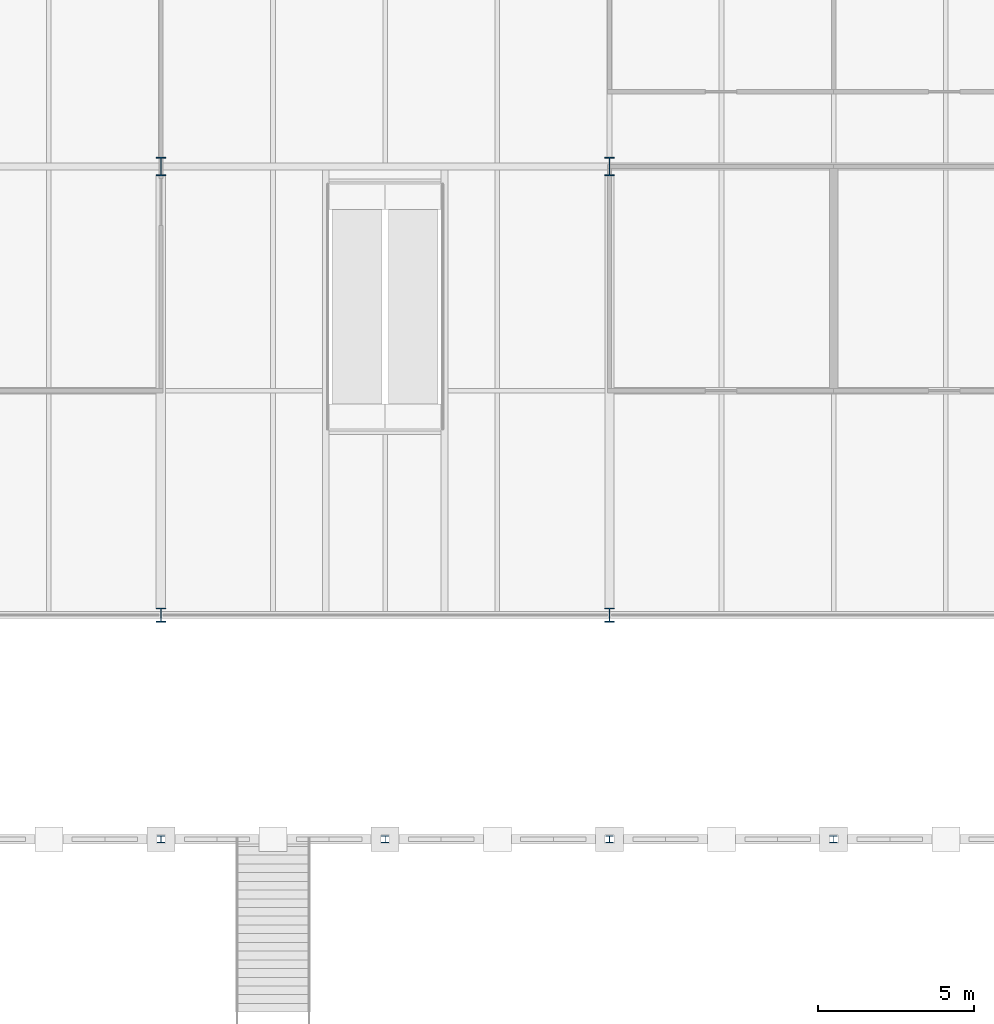
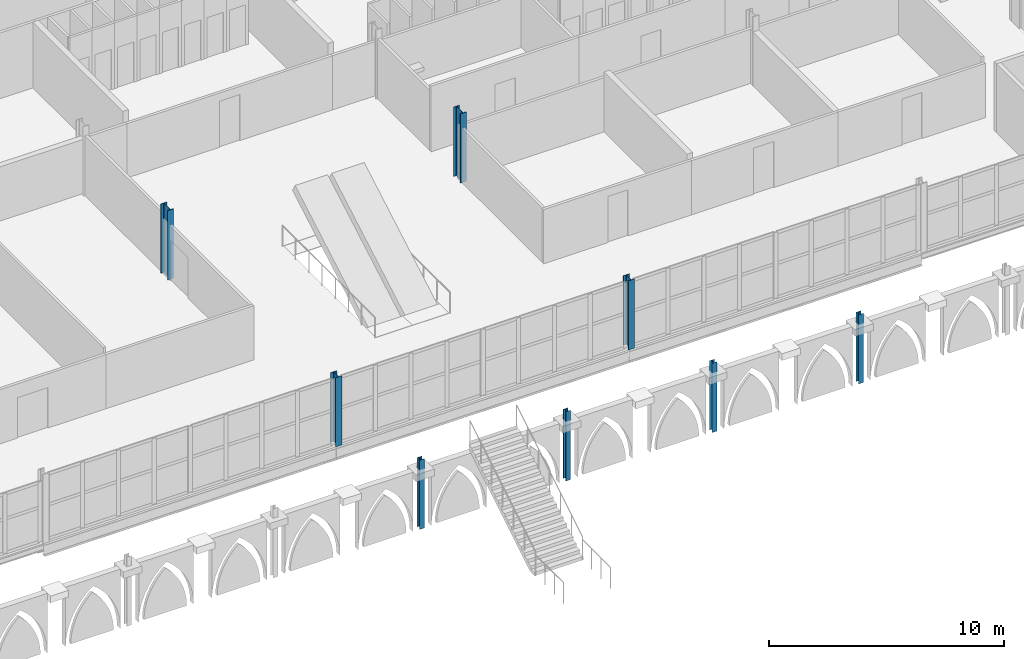
# One storey, part 2 of 90: 8 columns.
"""IFC4 building model written with IfcOpenShell, lengths in metres."""

from ifc_helpers import new_model, si_unit, direction, frame, origin, origin_2d, place, context, subcontext, project, spatial, i_section, extrude, material, material_profile, profile_set, type_object, element, save


model = new_model("IFC4")

# Units and contexts
model_context = context("Model", 3, precision=1e-05, world=origin(), true_north=direction((0.0, 1.0)))
body_context = subcontext(model_context, "Body", "Model", "MODEL_VIEW")
ifc_project = project(units=[si_unit("LENGTHUNIT", "METRE"), si_unit("AREAUNIT", "SQUARE_METRE"), si_unit("VOLUMEUNIT", "CUBIC_METRE"), si_unit("PLANEANGLEUNIT", "RADIAN"), si_unit("MASSUNIT", "GRAM", prefix="KILO")], contexts=[model_context])

# Site, building, storey
site_placement = place(None, origin())
site = spatial("IfcSite", under=ifc_project, at=site_placement, CompositionType="ELEMENT")
building_placement = place(site_placement, origin())
building = spatial("IfcBuilding", under=site, at=building_placement, Name="Kupolbacken Congress Centre", CompositionType="ELEMENT")
storey_placement = place(building_placement, frame((0.0, 0.0, 3.60009765625)))
storey = spatial("IfcBuildingStorey", under=building, at=storey_placement, Name="L01", CompositionType="ELEMENT", Elevation=3.60009765625)

# Columns
ifc_material_1 = material(Name="Steel S355", Category="steel")
ifc_material_profile_1 = material_profile(ifc_material_1, i_section(OverallWidth=0.300048828125, OverallDepth=0.449951171875, WebThickness=0.013916015625, FlangeThickness=0.02587890625, FilletRadius=0.027099609375, at=origin_2d()), Name="HEB 450")
ifc_profile_set_1 = profile_set([ifc_material_profile_1], Name="Steel S355")
column_type_1 = type_object("IfcColumnType", Name="C03 column HEB 450", PredefinedType="COLUMN", material=ifc_profile_set_1)
for number, where, z_axis, x_axis, name in (
    (1, (36.0, 28.800048828125, 0.0), (0.0, 0.0, 1.0), (1.0, 0.0, 0.0), "S/col/C-F-6E/L01"),
    (2, (50.39990234375, 28.800048828125, 0.0), (0.0, 0.0, 1.0), (1.0, 0.0, 0.0), "S/col/C-F-8E/L01"),
):
    element("IfcColumn", number, at=place(storey_placement, frame(where, z_axis=z_axis, x_axis=x_axis)), inside=storey, type_object=column_type_1, Name=name, PredefinedType="COLUMN", context=body_context, shape_type="SweptSolid", body=[
        extrude(i_section(OverallWidth=0.300048828125, OverallDepth=0.449951171875, WebThickness=0.013916015625, FlangeThickness=0.02587890625, FilletRadius=0.027099609375, at=origin_2d()), origin(), (0.0, 0.0, 1.0), 3.599853515625),
    ])
ifc_material_2 = material(Name="Steel S355", Category="steel")
ifc_material_profile_2 = material_profile(ifc_material_2, i_section(OverallWidth=0.300048828125, OverallDepth=0.60009765625, WebThickness=0.015380859375, FlangeThickness=0.030029296875, FilletRadius=0.027099609375, at=origin_2d()), Name="HEB 600")
ifc_profile_set_2 = profile_set([ifc_material_profile_2], Name="Steel S355")
column_type_2 = type_object("IfcColumnType", Name="C05 column HEB 600", PredefinedType="COLUMN", material=ifc_profile_set_2)
for number, where, z_axis, x_axis, name in (
    (3, (36.0, 43.199951171875, 0.0), (0.0, 0.0, 1.0), (1.0, 0.0, 0.0), "S/col/C-F-6G/L01"),
    (4, (50.39990234375, 43.199951171875, 0.0), (0.0, 0.0, 1.0), (1.0, 0.0, 0.0), "S/col/C-F-8G/L01"),
):
    element("IfcColumn", number, at=place(storey_placement, frame(where, z_axis=z_axis, x_axis=x_axis)), inside=storey, type_object=column_type_2, Name=name, PredefinedType="COLUMN", context=body_context, shape_type="SweptSolid", body=[
        extrude(i_section(OverallWidth=0.300048828125, OverallDepth=0.60009765625, WebThickness=0.015380859375, FlangeThickness=0.030029296875, FilletRadius=0.027099609375, at=origin_2d()), origin(), (0.0, 0.0, 1.0), 3.599853515625),
    ])
ifc_material_3 = material(Name="Steel S355", Category="steel")
ifc_material_profile_3 = material_profile(ifc_material_3, i_section(OverallWidth=0.239990234375, OverallDepth=0.22998046875, WebThickness=0.007568359375, FlangeThickness=0.011962890625, FilletRadius=0.02099609375, at=origin_2d()), Name="HEA 240")
ifc_profile_set_3 = profile_set([ifc_material_profile_3], Name="Steel S355")
column_type_3 = type_object("IfcColumnType", Name="C10 column HEA 240", PredefinedType="COLUMN", material=ifc_profile_set_3)
for number, where, z_axis, x_axis, name in (
    (5, (36.0, 21.60009765625, 0.0), (0.0, 0.0, 1.0), (1.0, 0.0, 0.0), "S/col/C-AR-6/L01"),
    (6, (43.199951171875, 21.60009765625, 0.0), (0.0, 0.0, 1.0), (1.0, 0.0, 0.0), "S/col/C-AR-7/L01"),
    (7, (50.39990234375, 21.60009765625, 0.0), (0.0, 0.0, 1.0), (1.0, 0.0, 0.0), "S/col/C-AR-8/L01"),
    (8, (57.60009765625, 21.60009765625, 0.0), (0.0, 0.0, 1.0), (1.0, 0.0, 0.0), "S/col/C-AR-9/L01"),
):
    element("IfcColumn", number, at=place(storey_placement, frame(where, z_axis=z_axis, x_axis=x_axis)), inside=storey, type_object=column_type_3, Name=name, PredefinedType="COLUMN", context=body_context, shape_type="SweptSolid", body=[
        extrude(i_section(OverallWidth=0.239990234375, OverallDepth=0.22998046875, WebThickness=0.007568359375, FlangeThickness=0.011962890625, FilletRadius=0.02099609375, at=origin_2d()), origin(), (0.0, 0.0, 1.0), 3.599853515625),
    ])

save(model, "model.ifc")
